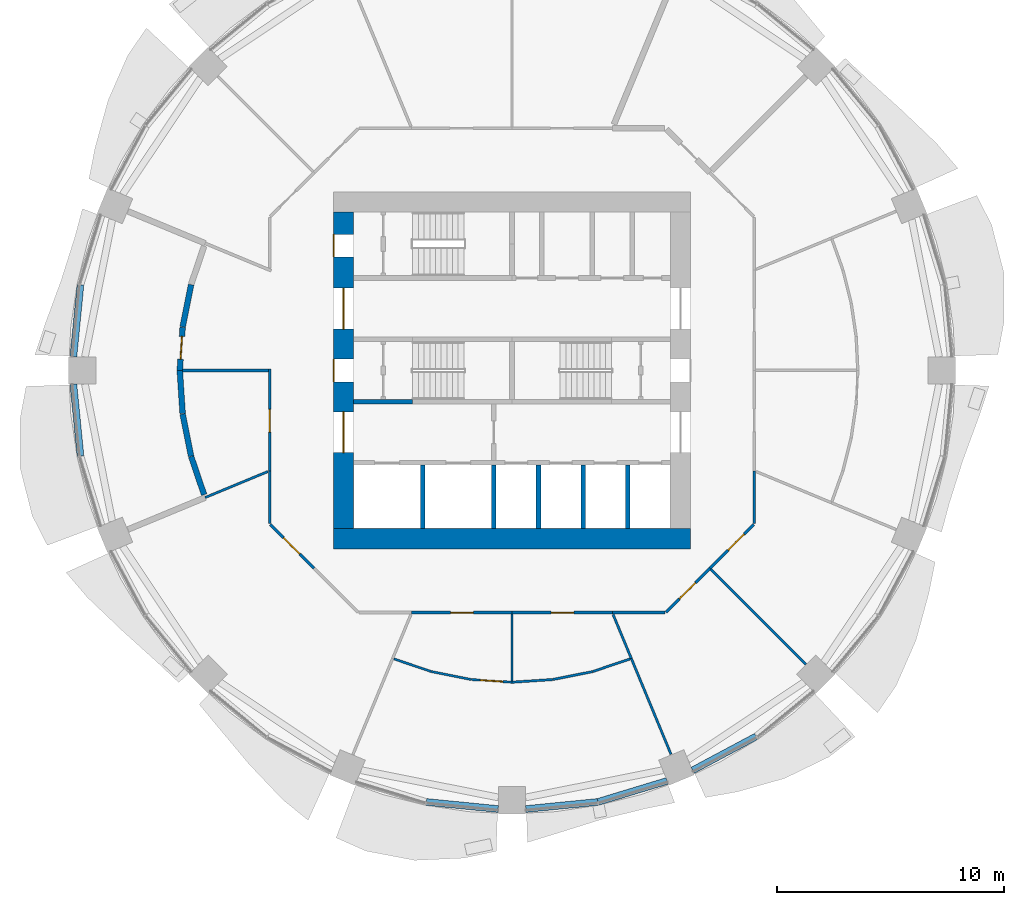
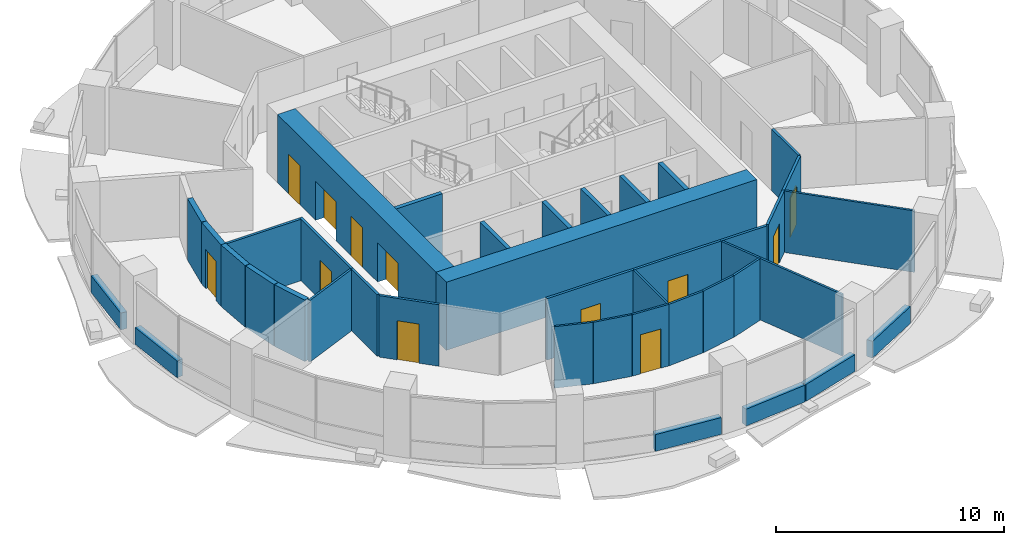
# One storey, part 8 of 15: 40 walls, 12 doors, 12 openings.
"""IFC4 building model written with IfcOpenShell, lengths in metres."""

from ifc_helpers import new_model, si_unit, direction, frame, frame_2d, origin, place, context, subcontext, project, spatial, rectangle, extrude, material, layer, layer_set, type_object, element, fill, save


model = new_model("IFC4")

# Units and contexts
model_context = context("Model", 3, precision=1e-05, world=origin(), true_north=direction((0.0, 1.0)))
body_context = subcontext(model_context, "Body", "Model", "MODEL_VIEW")
ifc_project = project(units=[si_unit("LENGTHUNIT", "METRE"), si_unit("AREAUNIT", "SQUARE_METRE"), si_unit("VOLUMEUNIT", "CUBIC_METRE"), si_unit("PLANEANGLEUNIT", "RADIAN"), si_unit("MASSUNIT", "GRAM", prefix="KILO")], contexts=[model_context])

# Site, building, storey
site_placement = place(None, origin())
site = spatial("IfcSite", under=ifc_project, at=site_placement, CompositionType="ELEMENT")
building_placement = place(site_placement, origin())
building = spatial("IfcBuilding", under=site, at=building_placement, Name="Polderwave Tower", CompositionType="ELEMENT")
storey_placement = place(building_placement, frame((0.0, 0.0, 62.699951171875)))
storey = spatial("IfcBuildingStorey", under=building, at=storey_placement, Name="L16", CompositionType="ELEMENT", Elevation=62.699951171875)

# Wall
ifc_material_1 = material(Name="Concrete C80/95", Category="concrete")
ifc_layer_1 = layer(ifc_material_1, 0.89990234375)
ifc_layer_set_1 = layer_set([ifc_layer_1], Name="CORE WALL 900 C80/95")
wall_type_1 = type_object("IfcWallType", Name="CORE WALL 900 C80/95", PredefinedType="SHEAR", material=ifc_layer_set_1)
wall_1_placement = place(storey_placement, frame((-7.8740234375, -7.424072265625, 0.0), z_axis=(0.0, 0.0, 1.0), x_axis=(1.0, 0.0, 0.0)))
element("IfcWall", 1, at=wall_1_placement, inside=storey, type_object=wall_type_1, Name="ST-CORE-L16-S", PredefinedType="SHEAR", context=body_context, shape_type="SweptSolid", body=[
    extrude(rectangle(XDim=15.748046875, YDim=0.89990234375, at=frame_2d((7.8740234375, 0.0))), origin(), (0.0, 0.0, 1.0), 3.650146484375),
])

# Wall, openings, doors
wall_2_placement = place(storey_placement, frame((-7.424072265625, -6.97412109375, 0.0), z_axis=(0.0, 0.0, 1.0), x_axis=(0.0, 1.0, 0.0)))
wall_2 = element("IfcWall", 2, at=wall_2_placement, inside=storey, type_object=wall_type_1, Name="ST-CORE-L16-W", PredefinedType="SHEAR", context=body_context, shape_type="SweptSolid", body=[
    extrude(rectangle(XDim=13.9482421875, YDim=0.89990234375, at=frame_2d((6.97412109375, 0.0))), origin(), (0.0, 0.0, 1.0), 3.650146484375),
])
opening_1_placement = place(wall_2_placement, frame((6.47412109375, 0.0, 0.0)))
opening_1 = element("IfcOpeningElement", 3, at=opening_1_placement, cuts=wall_2, Name="Opening L16-D18", PredefinedType="OPENING", context=body_context, shape_type="SweptSolid", body=[
    extrude(rectangle(XDim=1.0, YDim=2.10009765625, at=frame_2d((0.5, 1.050048828125))), frame((0.0, 0.4599609375, 0.0), z_axis=(0.0, -1.0, 0.0), x_axis=(1.0, 0.0, 0.0)), (0.0, 0.0, 1.0), 0.919921875),
])
opening_2_placement = place(wall_2_placement, frame((3.349609375, 0.0, 0.0)))
opening_2 = element("IfcOpeningElement", 4, at=opening_2_placement, cuts=wall_2, Name="Opening L16-D19", PredefinedType="OPENING", context=body_context, shape_type="SweptSolid", body=[
    extrude(rectangle(XDim=1.800048828125, YDim=2.10009765625, at=frame_2d((0.89990234375, 1.050048828125))), frame((0.0, 0.4599609375, 0.0), z_axis=(0.0, -1.0, 0.0), x_axis=(1.0, 0.0, 0.0)), (0.0, 0.0, 1.0), 0.919921875),
])
opening_3_placement = place(wall_2_placement, frame((8.798583984375, 0.0, 0.0)))
opening_3 = element("IfcOpeningElement", 5, at=opening_3_placement, cuts=wall_2, Name="Opening L16-D20", PredefinedType="OPENING", context=body_context, shape_type="SweptSolid", body=[
    extrude(rectangle(XDim=1.800048828125, YDim=2.10009765625, at=frame_2d((0.89990234375, 1.050048828125))), frame((0.0, 0.4599609375, 0.0), z_axis=(0.0, -1.0, 0.0), x_axis=(1.0, 0.0, 0.0)), (0.0, 0.0, 1.0), 0.919921875),
])
opening_4_placement = place(wall_2_placement, frame((11.97412109375, 0.0, 0.0)))
opening_4 = element("IfcOpeningElement", 6, at=opening_4_placement, cuts=wall_2, Name="Opening L16-D21", PredefinedType="OPENING", context=body_context, shape_type="SweptSolid", body=[
    extrude(rectangle(XDim=1.0, YDim=2.10009765625, at=frame_2d((0.5, 1.050048828125))), frame((0.0, 0.4599609375, 0.0), z_axis=(0.0, -1.0, 0.0), x_axis=(1.0, 0.0, 0.0)), (0.0, 0.0, 1.0), 0.919921875),
])
ifc_material_2 = material(Name="Steel fire door", Category="steel")
door_type_1 = type_object("IfcDoorType", Name="Lobby entry door pair 1800", OperationType="DOUBLE_DOOR_SINGLE_SWING", PredefinedType="DOOR", material=ifc_material_2)
door_1_placement = place(opening_2_placement, origin())
door_1 = element("IfcDoor", 7, at=door_1_placement, inside=storey, type_object=door_type_1, Name="Fire-fighting lobby entry door", OperationType="DOUBLE_DOOR_SINGLE_SWING", OverallHeight=2.10009765625, OverallWidth=1.800048828125, PredefinedType="DOOR", context=body_context, shape_type="SweptSolid", body=[
    extrude(rectangle(XDim=1.800048828125, YDim=2.10009765625, at=frame_2d((0.89990234375, 1.050048828125))), frame((0.0, 0.02490234375, 0.0), z_axis=(0.0, -1.0, 0.0), x_axis=(1.0, 0.0, 0.0)), (0.0, 0.0, 1.0), 0.050048828125),
])
fill(opening_2, door_1)
door_2_placement = place(opening_3_placement, origin())
door_2 = element("IfcDoor", 8, at=door_2_placement, inside=storey, type_object=door_type_1, Name="North lobby entry door", OperationType="DOUBLE_DOOR_SINGLE_SWING", OverallHeight=2.10009765625, OverallWidth=1.800048828125, PredefinedType="DOOR", context=body_context, shape_type="SweptSolid", body=[
    extrude(rectangle(XDim=1.800048828125, YDim=2.10009765625, at=frame_2d((0.89990234375, 1.050048828125))), frame((0.0, 0.02490234375, 0.0), z_axis=(0.0, -1.0, 0.0), x_axis=(1.0, 0.0, 0.0)), (0.0, 0.0, 1.0), 0.050048828125),
])
fill(opening_3, door_2)
door_type_2 = type_object("IfcDoorType", Name="Stair door 1000", OperationType="NOTDEFINED", PredefinedType="DOOR", material=ifc_material_2)
door_3_placement = place(opening_1_placement, origin())
door_3 = element("IfcDoor", 9, at=door_3_placement, inside=storey, type_object=door_type_2, Name="Stair A entry door", OperationType="SINGLE_SWING_RIGHT", OverallHeight=2.10009765625, OverallWidth=1.0, PredefinedType="DOOR", context=body_context, shape_type="SweptSolid", body=[
    extrude(rectangle(XDim=1.0, YDim=2.10009765625, at=frame_2d((0.5, 1.050048828125))), frame((0.0, 0.4501953125, 0.0), z_axis=(0.0, -1.0, 0.0), x_axis=(1.0, 0.0, 0.0)), (0.0, 0.0, 1.0), 0.050048828125),
])
fill(opening_1, door_3)
door_4_placement = place(opening_4_placement, origin())
door_4 = element("IfcDoor", 10, at=door_4_placement, inside=storey, type_object=door_type_2, Name="Stair C entry door", OperationType="SINGLE_SWING_RIGHT", OverallHeight=2.10009765625, OverallWidth=1.0, PredefinedType="DOOR", context=body_context, shape_type="SweptSolid", body=[
    extrude(rectangle(XDim=1.0, YDim=2.10009765625, at=frame_2d((0.5, 1.050048828125))), frame((0.0, 0.4501953125, 0.0), z_axis=(0.0, -1.0, 0.0), x_axis=(1.0, 0.0, 0.0)), (0.0, 0.0, 1.0), 0.050048828125),
])
fill(opening_4, door_4)

# Walls
ifc_material_3 = material(Name="Concrete C50/60 (board-marked)", Category="concrete")
ifc_layer_2 = layer(ifc_material_3, 0.300048828125)
ifc_layer_set_2 = layer_set([ifc_layer_2], Name="Concrete spandrel upstand C50/60")
wall_type_2 = type_object("IfcWallType", Name="Concrete spandrel upstand C50/60", PredefinedType="SOLIDWALL", material=ifc_layer_set_2)
for number, where, z_axis, x_axis, name in (
    (11, (-19.0185546875, 3.76806640625, 0.0), (0.0, 0.0, 1.0), (-0.098100807709, -0.995176482603, 0.0), "Spandrel L16 8b"),
    (12, (-19.32958984375, -0.61279296875, 0.0), (0.0, 0.0, 1.0), (0.098100807709, -0.995176482603, 0.0), "Spandrel L16 9a"),
    (13, (-3.76806640625, -19.0185546875, 0.0), (0.0, 0.0, 1.0), (0.995176482603, -0.098100807709, 0.0), "Spandrel L16 12b"),
    (14, (0.61279296875, -19.32958984375, 0.0), (0.0, 0.0, 1.0), (0.995176482603, 0.098100807709, 0.0), "Spandrel L16 13a"),
):
    element("IfcWall", number, at=place(storey_placement, frame(where, z_axis=z_axis, x_axis=x_axis)), inside=storey, type_object=wall_type_2, Name=name, PredefinedType="SOLIDWALL", context=body_context, shape_type="SweptSolid", body=[
        extrude(rectangle(XDim=3.170654296875, YDim=0.300048828125, at=frame_2d((1.58544921875, 0.0))), origin(), (0.0, 0.0, 1.0), 0.900146484375),
    ])
wall_3_placement = place(storey_placement, frame((3.79736328125, -19.0126953125, 0.0), z_axis=(0.0, 0.0, 1.0), x_axis=(0.956888224489, 0.290456409527, 0.0)))
element("IfcWall", 15, at=wall_3_placement, inside=storey, type_object=wall_type_2, Name="Spandrel L16 13b", PredefinedType="SOLIDWALL", context=body_context, shape_type="SweptSolid", body=[
    extrude(rectangle(XDim=3.1689453125, YDim=0.300048828125, at=frame_2d((1.58447265625, 0.0))), origin(), (0.0, 0.0, 1.0), 0.900146484375),
])
wall_4_placement = place(storey_placement, frame((7.963134765625, -17.622802734375, 0.0), z_axis=(0.0, 0.0, 1.0), x_axis=(0.882007292685, 0.47123575379, 0.0)))
element("IfcWall", 16, at=wall_4_placement, inside=storey, type_object=wall_type_2, Name="Spandrel L16 14a", PredefinedType="SOLIDWALL", context=body_context, shape_type="SweptSolid", body=[
    extrude(rectangle(XDim=3.169677734375, YDim=0.300048828125, at=frame_2d((1.5849609375, 0.0))), origin(), (0.0, 0.0, 1.0), 0.900146484375),
])
ifc_material_4 = material(Name="Concrete C50/60", Category="concrete")
ifc_layer_3 = layer(ifc_material_4, 0.199951171875)
ifc_layer_set_3 = layer_set([ifc_layer_3], Name="Core web wall 200")
wall_type_3 = type_object("IfcWallType", Name="Core web wall 200", PredefinedType="SHEAR", material=ifc_layer_set_3)
wall_5_placement = place(storey_placement, frame((-6.97412109375, -1.375, 0.0), z_axis=(0.0, 0.0, 1.0), x_axis=(1.0, 0.0, 0.0)))
element("IfcWall", 17, at=wall_5_placement, inside=storey, type_object=wall_type_3, Name="L16 south stair wall 1", PredefinedType="SHEAR", context=body_context, shape_type="SweptSolid", body=[
    extrude(rectangle(XDim=2.60009765625, YDim=0.199951171875, at=frame_2d((1.300048828125, 0.0))), origin(), (0.0, 0.0, 1.0), 3.300048828125),
])

# Wall, opening, door
ifc_material_5 = material(Name="Fire-resisting board on steel studs", Category="steel")
ifc_layer_4 = layer(ifc_material_5, 0.125)
ifc_layer_set_4 = layer_set([ifc_layer_4], Name="Corridor wall 125 mm EI 60")
wall_type_4 = type_object("IfcWallType", Name="Corridor wall 125 mm EI 60", PredefinedType="PARTITIONING", material=ifc_layer_set_4)
wall_6_placement = place(storey_placement, frame((10.65576171875, -6.789306640625, 0.0), z_axis=(0.0, 0.0, 1.0), x_axis=(-0.707151428813, -0.707062130741, 0.0)))
wall_6 = element("IfcWall", 18, at=wall_6_placement, inside=storey, type_object=wall_type_4, Name="IN-L16-W004", PredefinedType="PARTITIONING", context=body_context, shape_type="SweptSolid", body=[
    extrude(rectangle(XDim=2.73388671875, YDim=0.125, at=frame_2d((1.366943359375, 0.0))), origin(), (0.0, 0.0, 1.0), 3.300048828125),
])
opening_5_placement = place(wall_6_placement, frame((0.60009765625, 0.0, 0.0)))
opening_5 = element("IfcOpeningElement", 19, at=opening_5_placement, cuts=wall_6, Name="Opening L16-D52", PredefinedType="OPENING", context=body_context, shape_type="SweptSolid", body=[
    extrude(rectangle(XDim=1.0, YDim=2.10009765625, at=frame_2d((0.5, 1.050048828125))), frame((0.0, 0.072509765625, 0.0), z_axis=(0.0, -1.0, 0.0), x_axis=(1.0, 0.0, 0.0)), (0.0, 0.0, 1.0), 0.14501953125),
])
ifc_material_6 = material(Name="Timber fire door leaf", Category="wood")
door_type_3 = type_object("IfcDoorType", Name="Fire door FD30S 1000 x 2100", OperationType="NOTDEFINED", PredefinedType="DOOR", material=ifc_material_6)
door_5_placement = place(opening_5_placement, origin())
door_5 = element("IfcDoor", 20, at=door_5_placement, inside=storey, type_object=door_type_3, Name="Door L16-D52", OperationType="SINGLE_SWING_LEFT", OverallHeight=2.10009765625, OverallWidth=1.0, PredefinedType="DOOR", context=body_context, shape_type="SweptSolid", body=[
    extrude(rectangle(XDim=1.0, YDim=2.10009765625, at=frame_2d((0.5, 1.050048828125))), frame((0.0, 0.02490234375, 0.0), z_axis=(0.0, -1.0, 0.0), x_axis=(1.0, 0.0, 0.0)), (0.0, 0.0, 1.0), 0.050048828125),
])
fill(opening_5, door_5)

# Wall
wall_7_placement = place(storey_placement, frame((10.674072265625, -4.42138671875, 0.0), z_axis=(0.0, 0.0, 1.0), x_axis=(0.0, -1.0, 0.0)))
element("IfcWall", 21, at=wall_7_placement, inside=storey, type_object=wall_type_4, Name="IN-L16-W005", PredefinedType="PARTITIONING", context=body_context, shape_type="SweptSolid", body=[
    extrude(rectangle(XDim=2.32373046875, YDim=0.125, at=frame_2d((1.161865234375, 0.0))), origin(), (0.0, 0.0, 1.0), 3.300048828125),
])

# Wall, opening, door
wall_8_placement = place(storey_placement, frame((-10.674072265625, -4.42138671875, 0.0), z_axis=(0.0, 0.0, 1.0), x_axis=(0.0, 1.0, 0.0)))
wall_8 = element("IfcWall", 22, at=wall_8_placement, inside=storey, type_object=wall_type_4, Name="IN-L16-W015", PredefinedType="PARTITIONING", context=body_context, shape_type="SweptSolid", body=[
    extrude(rectangle(XDim=4.48388671875, YDim=0.125, at=frame_2d((2.241943359375, 0.0))), origin(), (0.0, 0.0, 1.0), 3.300048828125),
])
opening_6_placement = place(wall_8_placement, frame((1.699951171875, 0.0, 0.0)))
opening_6 = element("IfcOpeningElement", 23, at=opening_6_placement, cuts=wall_8, Name="Opening L16-D59", PredefinedType="OPENING", context=body_context, shape_type="SweptSolid", body=[
    extrude(rectangle(XDim=1.0, YDim=2.10009765625, at=frame_2d((0.5, 1.050048828125))), frame((0.0, 0.072509765625, 0.0), z_axis=(0.0, -1.0, 0.0), x_axis=(1.0, 0.0, 0.0)), (0.0, 0.0, 1.0), 0.14501953125),
])
door_6_placement = place(opening_6_placement, origin())
door_6 = element("IfcDoor", 24, at=door_6_placement, inside=storey, type_object=door_type_3, Name="Door L16-D59", OperationType="SINGLE_SWING_LEFT", OverallHeight=2.10009765625, OverallWidth=1.0, PredefinedType="DOOR", context=body_context, shape_type="SweptSolid", body=[
    extrude(rectangle(XDim=1.0, YDim=2.10009765625, at=frame_2d((0.5, 1.050048828125))), frame((0.0, 0.02490234375, 0.0), z_axis=(0.0, -1.0, 0.0), x_axis=(1.0, 0.0, 0.0)), (0.0, 0.0, 1.0), 0.050048828125),
])
fill(opening_6, door_6)

# Wall
wall_9_placement = place(storey_placement, frame((-10.674072265625, -6.7451171875, 0.0), z_axis=(0.0, 0.0, 1.0), x_axis=(0.0, 1.0, 0.0)))
element("IfcWall", 25, at=wall_9_placement, inside=storey, type_object=wall_type_4, Name="IN-L16-W016", PredefinedType="PARTITIONING", context=body_context, shape_type="SweptSolid", body=[
    extrude(rectangle(XDim=2.32373046875, YDim=0.125, at=frame_2d((1.161865234375, 0.0))), origin(), (0.0, 0.0, 1.0), 3.300048828125),
])

# Wall, opening, door
wall_10_placement = place(storey_placement, frame((-8.722412109375, -8.722412109375, 0.0), z_axis=(0.0, 0.0, 1.0), x_axis=(-0.707151428813, 0.707062130741, 0.0)))
wall_10 = element("IfcWall", 26, at=wall_10_placement, inside=storey, type_object=wall_type_4, Name="IN-L16-W017", PredefinedType="PARTITIONING", context=body_context, shape_type="SweptSolid", body=[
    extrude(rectangle(XDim=2.73388671875, YDim=0.125, at=frame_2d((1.366943359375, 0.0))), origin(), (0.0, 0.0, 1.0), 3.300048828125),
])
opening_7_placement = place(wall_10_placement, frame((0.89990234375, 0.0, 0.0)))
opening_7 = element("IfcOpeningElement", 27, at=opening_7_placement, cuts=wall_10, Name="Opening L16-D60", PredefinedType="OPENING", context=body_context, shape_type="SweptSolid", body=[
    extrude(rectangle(XDim=1.0, YDim=2.10009765625, at=frame_2d((0.5, 1.050048828125))), frame((0.0, 0.072509765625, 0.0), z_axis=(0.0, -1.0, 0.0), x_axis=(1.0, 0.0, 0.0)), (0.0, 0.0, 1.0), 0.14501953125),
])
door_7_placement = place(opening_7_placement, origin())
door_7 = element("IfcDoor", 28, at=door_7_placement, inside=storey, type_object=door_type_3, Name="Door L16-D60", OperationType="SINGLE_SWING_RIGHT", OverallHeight=2.10009765625, OverallWidth=1.0, PredefinedType="DOOR", context=body_context, shape_type="SweptSolid", body=[
    extrude(rectangle(XDim=1.0, YDim=2.10009765625, at=frame_2d((0.5, 1.050048828125))), frame((0.0, 0.02490234375, 0.0), z_axis=(0.0, -1.0, 0.0), x_axis=(1.0, 0.0, 0.0)), (0.0, 0.0, 1.0), 0.050048828125),
])
fill(opening_7, door_7)

wall_11_placement = place(storey_placement, frame((0.0, -10.674072265625, 0.0), z_axis=(0.0, 0.0, 1.0), x_axis=(-1.0, 0.0, 0.0)))
wall_11 = element("IfcWall", 29, at=wall_11_placement, inside=storey, type_object=wall_type_4, Name="IN-L16-W020", PredefinedType="PARTITIONING", context=body_context, shape_type="SweptSolid", body=[
    extrude(rectangle(XDim=4.42138671875, YDim=0.125, at=frame_2d((2.210693359375, 0.0))), origin(), (0.0, 0.0, 1.0), 3.300048828125),
])
opening_8_placement = place(wall_11_placement, frame((1.699951171875, 0.0, 0.0)))
opening_8 = element("IfcOpeningElement", 30, at=opening_8_placement, cuts=wall_11, Name="Opening L16-D61", PredefinedType="OPENING", context=body_context, shape_type="SweptSolid", body=[
    extrude(rectangle(XDim=1.0, YDim=2.10009765625, at=frame_2d((0.5, 1.050048828125))), frame((0.0, 0.072509765625, 0.0), z_axis=(0.0, -1.0, 0.0), x_axis=(1.0, 0.0, 0.0)), (0.0, 0.0, 1.0), 0.14501953125),
])
door_8_placement = place(opening_8_placement, origin())
door_8 = element("IfcDoor", 31, at=door_8_placement, inside=storey, type_object=door_type_3, Name="Door L16-D61", OperationType="SINGLE_SWING_LEFT", OverallHeight=2.10009765625, OverallWidth=1.0, PredefinedType="DOOR", context=body_context, shape_type="SweptSolid", body=[
    extrude(rectangle(XDim=1.0, YDim=2.10009765625, at=frame_2d((0.5, 1.050048828125))), frame((0.0, 0.02490234375, 0.0), z_axis=(0.0, -1.0, 0.0), x_axis=(1.0, 0.0, 0.0)), (0.0, 0.0, 1.0), 0.050048828125),
])
fill(opening_8, door_8)

wall_12_placement = place(storey_placement, frame((4.42138671875, -10.674072265625, 0.0), z_axis=(0.0, 0.0, 1.0), x_axis=(-1.0, 0.0, 0.0)))
wall_12 = element("IfcWall", 32, at=wall_12_placement, inside=storey, type_object=wall_type_4, Name="IN-L16-W021", PredefinedType="PARTITIONING", context=body_context, shape_type="SweptSolid", body=[
    extrude(rectangle(XDim=4.42138671875, YDim=0.125, at=frame_2d((2.210693359375, 0.0))), origin(), (0.0, 0.0, 1.0), 3.300048828125),
])
opening_9_placement = place(wall_12_placement, frame((1.699951171875, 0.0, 0.0)))
opening_9 = element("IfcOpeningElement", 33, at=opening_9_placement, cuts=wall_12, Name="Opening L16-D62", PredefinedType="OPENING", context=body_context, shape_type="SweptSolid", body=[
    extrude(rectangle(XDim=1.0, YDim=2.10009765625, at=frame_2d((0.5, 1.050048828125))), frame((0.0, 0.072509765625, 0.0), z_axis=(0.0, -1.0, 0.0), x_axis=(1.0, 0.0, 0.0)), (0.0, 0.0, 1.0), 0.14501953125),
])
door_9_placement = place(opening_9_placement, origin())
door_9 = element("IfcDoor", 34, at=door_9_placement, inside=storey, type_object=door_type_3, Name="Door L16-D62", OperationType="SINGLE_SWING_LEFT", OverallHeight=2.10009765625, OverallWidth=1.0, PredefinedType="DOOR", context=body_context, shape_type="SweptSolid", body=[
    extrude(rectangle(XDim=1.0, YDim=2.10009765625, at=frame_2d((0.5, 1.050048828125))), frame((0.0, 0.02490234375, 0.0), z_axis=(0.0, -1.0, 0.0), x_axis=(1.0, 0.0, 0.0)), (0.0, 0.0, 1.0), 0.050048828125),
])
fill(opening_9, door_9)

# Wall
wall_13_placement = place(storey_placement, frame((6.7451171875, -10.674072265625, 0.0), z_axis=(0.0, 0.0, 1.0), x_axis=(-1.0, 0.0, 0.0)))
element("IfcWall", 35, at=wall_13_placement, inside=storey, type_object=wall_type_4, Name="IN-L16-W022", PredefinedType="PARTITIONING", context=body_context, shape_type="SweptSolid", body=[
    extrude(rectangle(XDim=2.32373046875, YDim=0.125, at=frame_2d((1.161865234375, 0.0))), origin(), (0.0, 0.0, 1.0), 3.300048828125),
])

# Wall, opening, door
wall_14_placement = place(storey_placement, frame((8.722412109375, -8.722412109375, 0.0), z_axis=(0.0, 0.0, 1.0), x_axis=(-0.707062130741, -0.707151428813, 0.0)))
wall_14 = element("IfcWall", 36, at=wall_14_placement, inside=storey, type_object=wall_type_4, Name="IN-L16-W023", PredefinedType="PARTITIONING", context=body_context, shape_type="SweptSolid", body=[
    extrude(rectangle(XDim=2.73388671875, YDim=0.125, at=frame_2d((1.366943359375, 0.0))), origin(), (0.0, 0.0, 1.0), 3.300048828125),
])
opening_10_placement = place(wall_14_placement, frame((0.89990234375, 0.0, 0.0)))
opening_10 = element("IfcOpeningElement", 37, at=opening_10_placement, cuts=wall_14, Name="Opening L16-D63", PredefinedType="OPENING", context=body_context, shape_type="SweptSolid", body=[
    extrude(rectangle(XDim=1.0, YDim=2.10009765625, at=frame_2d((0.5, 1.050048828125))), frame((0.0, 0.072509765625, 0.0), z_axis=(0.0, -1.0, 0.0), x_axis=(1.0, 0.0, 0.0)), (0.0, 0.0, 1.0), 0.14501953125),
])
door_10_placement = place(opening_10_placement, origin())
door_10 = element("IfcDoor", 38, at=door_10_placement, inside=storey, type_object=door_type_3, Name="Door L16-D63", OperationType="SINGLE_SWING_RIGHT", OverallHeight=2.10009765625, OverallWidth=1.0, PredefinedType="DOOR", context=body_context, shape_type="SweptSolid", body=[
    extrude(rectangle(XDim=1.0, YDim=2.10009765625, at=frame_2d((0.5, 1.050048828125))), frame((0.0, 0.02490234375, 0.0), z_axis=(0.0, -1.0, 0.0), x_axis=(1.0, 0.0, 0.0)), (0.0, 0.0, 1.0), 0.050048828125),
])
fill(opening_10, door_10)

# Walls
wall_15_placement = place(storey_placement, frame((-10.736572265625, 0.0, 0.0), z_axis=(0.0, 0.0, 1.0), x_axis=(-1.0, 0.0, 0.0)))
element("IfcWall", 39, at=wall_15_placement, inside=storey, type_object=wall_type_4, Name="IN-L16-W046", PredefinedType="PARTITIONING", context=body_context, shape_type="SweptSolid", body=[
    extrude(rectangle(XDim=3.77392578125, YDim=0.125, at=frame_2d((1.886962890625, 0.0))), origin(), (0.0, 0.0, 1.0), 3.300048828125),
])
ifc_material_7 = material(Name="Plasterboard on steel studs", Category="steel")
ifc_layer_5 = layer(ifc_material_7, 0.10009765625)
ifc_layer_set_5 = layer_set([ifc_layer_5], Name="Partition 100 mm plasterboard on steel studs")
wall_type_5 = type_object("IfcWallType", Name="Partition 100 mm plasterboard on steel studs", PredefinedType="PARTITIONING", material=ifc_layer_set_5)
wall_16_placement = place(storey_placement, frame((-3.559326171875, -13.270751953125, 0.0), z_axis=(0.0, 0.0, 1.0), x_axis=(-0.946941295521, 0.321406569374, 0.0)))
element("IfcWall", 40, at=wall_16_placement, inside=storey, type_object=wall_type_5, Name="IN-L16-W054", PredefinedType="PARTITIONING", context=body_context, shape_type="SweptSolid", body=[
    extrude(rectangle(XDim=1.738037109375, YDim=0.10009765625, at=frame_2d((0.869140625, 0.0))), origin(), (0.0, 0.0, 1.0), 3.300048828125),
])
wall_17_placement = place(storey_placement, frame((-1.796630859375, -13.621826171875, 0.0), z_axis=(0.0, 0.0, 1.0), x_axis=(-0.980784643133, 0.195093525761, 0.0)))
element("IfcWall", 41, at=wall_17_placement, inside=storey, type_object=wall_type_5, Name="IN-L16-W055", PredefinedType="PARTITIONING", context=body_context, shape_type="SweptSolid", body=[
    extrude(rectangle(XDim=1.790771484375, YDim=0.10009765625, at=frame_2d((0.8955078125, 0.0))), origin(), (0.0, 0.0, 1.0), 3.300048828125),
])

# Wall, opening, door
wall_18_placement = place(storey_placement, frame((0.0, -13.739990234375, 0.0), z_axis=(0.0, 0.0, 1.0), x_axis=(-0.997863935765, 0.065326607906, 0.0)))
wall_18 = element("IfcWall", 42, at=wall_18_placement, inside=storey, type_object=wall_type_5, Name="IN-L16-W056", PredefinedType="PARTITIONING", context=body_context, shape_type="SweptSolid", body=[
    extrude(rectangle(XDim=1.7939453125, YDim=0.10009765625, at=frame_2d((0.89697265625, 0.0))), origin(), (0.0, 0.0, 1.0), 3.300048828125),
])
opening_11_placement = place(wall_18_placement, frame((0.39990234375, 0.0, 0.0)))
opening_11 = element("IfcOpeningElement", 43, at=opening_11_placement, cuts=wall_18, Name="Opening L16-D66", PredefinedType="OPENING", context=body_context, shape_type="SweptSolid", body=[
    extrude(rectangle(XDim=1.0, YDim=2.10009765625, at=frame_2d((0.5, 1.050048828125))), frame((0.0, 0.06005859375, 0.0), z_axis=(0.0, -1.0, 0.0), x_axis=(1.0, 0.0, 0.0)), (0.0, 0.0, 1.0), 0.1201171875),
])
ifc_material_8 = material(Name="Timber veneer door leaf", Category="wood")
door_type_4 = type_object("IfcDoorType", Name="Single door 1000 x 2100", OperationType="NOTDEFINED", PredefinedType="DOOR", material=ifc_material_8)
door_11_placement = place(opening_11_placement, origin())
door_11 = element("IfcDoor", 44, at=door_11_placement, inside=storey, type_object=door_type_4, Name="Door L16-D66", OperationType="SINGLE_SWING_RIGHT", OverallHeight=2.10009765625, OverallWidth=1.0, PredefinedType="DOOR", context=body_context, shape_type="SweptSolid", body=[
    extrude(rectangle(XDim=1.0, YDim=2.10009765625, at=frame_2d((0.5, 1.050048828125))), frame((0.0, 0.02490234375, 0.0), z_axis=(0.0, -1.0, 0.0), x_axis=(1.0, 0.0, 0.0)), (0.0, 0.0, 1.0), 0.050048828125),
])
fill(opening_11, door_11)

# Walls
ifc_material_9 = material(Name="Moisture-resistant board on steel studs, tiled", Category="steel")
ifc_layer_6 = layer(ifc_material_9, 0.10498046875)
ifc_layer_set_6 = layer_set([ifc_layer_6], Name="Partition 105 mm wet room board and tile")
wall_type_6 = type_object("IfcWallType", Name="Partition 105 mm wet room board and tile", PredefinedType="PARTITIONING", material=ifc_layer_set_6)
wall_19_placement = place(storey_placement, frame((-10.756591796875, -4.45556640625, 0.0), z_axis=(0.0, 0.0, 1.0), x_axis=(-0.923879826967, -0.382682721486, 0.0)))
element("IfcWall", 45, at=wall_19_placement, inside=storey, type_object=wall_type_6, Name="IN-L16-W051", PredefinedType="PARTITIONING", context=body_context, shape_type="SweptSolid", body=[
    extrude(rectangle(XDim=2.9970703125, YDim=0.10498046875, at=frame_2d((1.49853515625, 0.0))), origin(), (0.0, 0.0, 1.0), 3.300048828125),
])
wall_20_placement = place(storey_placement, frame((0.0, -10.736572265625, 0.0), z_axis=(0.0, 0.0, 1.0), x_axis=(0.0, -1.0, 0.0)))
element("IfcWall", 46, at=wall_20_placement, inside=storey, type_object=wall_type_6, Name="IN-L16-W057", PredefinedType="PARTITIONING", context=body_context, shape_type="SweptSolid", body=[
    extrude(rectangle(XDim=2.947265625, YDim=0.10498046875, at=frame_2d((1.4736328125, 0.0))), origin(), (0.0, 0.0, 1.0), 3.300048828125),
])
wall_21_placement = place(storey_placement, frame((0.0, -13.739990234375, 0.0), z_axis=(0.0, 0.0, 1.0), x_axis=(0.997863935765, 0.065326607906, 0.0)))
element("IfcWall", 47, at=wall_21_placement, inside=storey, type_object=wall_type_6, Name="IN-L16-W058", PredefinedType="PARTITIONING", context=body_context, shape_type="SweptSolid", body=[
    extrude(rectangle(XDim=1.7939453125, YDim=0.10498046875, at=frame_2d((0.89697265625, 0.0))), origin(), (0.0, 0.0, 1.0), 3.300048828125),
])
wall_22_placement = place(storey_placement, frame((1.796875, -13.621826171875, 0.0), z_axis=(0.0, 0.0, 1.0), x_axis=(0.980774260843, 0.195145712912, 0.0)))
element("IfcWall", 48, at=wall_22_placement, inside=storey, type_object=wall_type_6, Name="IN-L16-W059", PredefinedType="PARTITIONING", context=body_context, shape_type="SweptSolid", body=[
    extrude(rectangle(XDim=1.790283203125, YDim=0.10498046875, at=frame_2d((0.89501953125, 0.0))), origin(), (0.0, 0.0, 1.0), 3.300048828125),
])
wall_23_placement = place(storey_placement, frame((3.5595703125, -13.270751953125, 0.0), z_axis=(0.0, 0.0, 1.0), x_axis=(0.946926781261, 0.321449328713, 0.0)))
element("IfcWall", 49, at=wall_23_placement, inside=storey, type_object=wall_type_6, Name="IN-L16-W060", PredefinedType="PARTITIONING", context=body_context, shape_type="SweptSolid", body=[
    extrude(rectangle(XDim=1.73779296875, YDim=0.10498046875, at=frame_2d((0.868896484375, 0.0))), origin(), (0.0, 0.0, 1.0), 3.300048828125),
])
wall_24_placement = place(storey_placement, frame((5.258056640625, -12.694091796875, 0.0), z_axis=(0.0, 0.0, 1.0), x_axis=(0.382710364739, -0.923868376297, 0.0)))
element("IfcWall", 50, at=wall_24_placement, inside=storey, type_object=wall_type_6, Name="IN-L16-W061", PredefinedType="PARTITIONING", context=body_context, shape_type="SweptSolid", body=[
    extrude(rectangle(XDim=4.570068359375, YDim=0.10498046875, at=frame_2d((2.28515625, 0.0))), origin(), (0.0, 0.0, 1.0), 3.300048828125),
])
wall_25_placement = place(storey_placement, frame((4.45556640625, -10.756591796875, 0.0), z_axis=(0.0, 0.0, 1.0), x_axis=(0.382663674763, -0.92388771613, 0.0)))
element("IfcWall", 51, at=wall_25_placement, inside=storey, type_object=wall_type_6, Name="IN-L16-W062", PredefinedType="PARTITIONING", context=body_context, shape_type="SweptSolid", body=[
    extrude(rectangle(XDim=2.09716796875, YDim=0.10498046875, at=frame_2d((1.048583984375, 0.0))), origin(), (0.0, 0.0, 1.0), 3.300048828125),
])
wall_26_placement = place(storey_placement, frame((8.7666015625, -8.7666015625, 0.0), z_axis=(0.0, 0.0, 1.0), x_axis=(0.707106781187, -0.707106781187, 0.0)))
element("IfcWall", 52, at=wall_26_placement, inside=storey, type_object=wall_type_6, Name="IN-L16-W063", PredefinedType="PARTITIONING", context=body_context, shape_type="SweptSolid", body=[
    extrude(rectangle(XDim=5.912109375, YDim=0.10498046875, at=frame_2d((2.9560546875, 0.0))), origin(), (0.0, 0.0, 1.0), 3.300048828125),
])

# Wall, opening, door
ifc_material_10 = material(Name="Fire-resisting board on steel studs, mineral wool", Category="steel")
ifc_layer_7 = layer(ifc_material_10, 0.25)
ifc_layer_set_7 = layer_set([ifc_layer_7], Name="Plant room wall 250 mm EI 120")
wall_type_7 = type_object("IfcWallType", Name="Plant room wall 250 mm EI 120", PredefinedType="PARTITIONING", material=ifc_layer_set_7)
wall_27_placement = place(storey_placement, frame((-14.639892578125, 0.0, 0.0), z_axis=(0.0, 0.0, 1.0), x_axis=(0.065303653727, 0.997865438228, 0.0)))
wall_27 = element("IfcWall", 53, at=wall_27_placement, inside=storey, type_object=wall_type_7, Name="IN-L16-W043", PredefinedType="PARTITIONING", context=body_context, shape_type="SweptSolid", body=[
    extrude(rectangle(XDim=1.90673828125, YDim=0.25, at=frame_2d((0.953369140625, 0.0))), origin(), (0.0, 0.0, 1.0), 3.300048828125),
])
opening_12_placement = place(wall_27_placement, frame((0.5, 0.0, 0.0)))
opening_12 = element("IfcOpeningElement", 54, at=opening_12_placement, cuts=wall_27, Name="Opening L16-D65", PredefinedType="OPENING", context=body_context, shape_type="SweptSolid", body=[
    extrude(rectangle(XDim=1.0, YDim=2.10009765625, at=frame_2d((0.5, 1.050048828125))), frame((0.0, 0.135009765625, 0.0), z_axis=(0.0, -1.0, 0.0), x_axis=(1.0, 0.0, 0.0)), (0.0, 0.0, 1.0), 0.27001953125),
])
ifc_material_11 = material(Name="Steel plant door leaf", Category="steel")
door_type_5 = type_object("IfcDoorType", Name="Plant door FD60 1000 x 2100 steel", OperationType="NOTDEFINED", PredefinedType="DOOR", material=ifc_material_11)
door_12_placement = place(opening_12_placement, origin())
door_12 = element("IfcDoor", 55, at=door_12_placement, inside=storey, type_object=door_type_5, Name="Door L16-D65", OperationType="SINGLE_SWING_RIGHT", OverallHeight=2.10009765625, OverallWidth=1.0, PredefinedType="DOOR", context=body_context, shape_type="SweptSolid", body=[
    extrude(rectangle(XDim=1.0, YDim=2.10009765625, at=frame_2d((0.5, 1.050048828125))), frame((0.0, 0.02490234375, 0.0), z_axis=(0.0, -1.0, 0.0), x_axis=(1.0, 0.0, 0.0)), (0.0, 0.0, 1.0), 0.050048828125),
])
fill(opening_12, door_12)

# Walls
wall_28_placement = place(storey_placement, frame((-14.51318359375, 1.9189453125, 0.0), z_axis=(0.0, 0.0, 1.0), x_axis=(0.195077379777, 0.980787854686, 0.0)))
element("IfcWall", 56, at=wall_28_placement, inside=storey, type_object=wall_type_7, Name="IN-L16-W044", PredefinedType="PARTITIONING", context=body_context, shape_type="SweptSolid", body=[
    extrude(rectangle(XDim=1.8984375, YDim=0.25, at=frame_2d((0.94921875, 0.0))), origin(), (0.0, 0.0, 1.0), 3.300048828125),
])
wall_29_placement = place(storey_placement, frame((-14.639892578125, 0.0, 0.0), z_axis=(0.0, 0.0, 1.0), x_axis=(0.065303653727, -0.997865438228, 0.0)))
element("IfcWall", 57, at=wall_29_placement, inside=storey, type_object=wall_type_7, Name="IN-L16-W047", PredefinedType="PARTITIONING", context=body_context, shape_type="SweptSolid", body=[
    extrude(rectangle(XDim=1.90673828125, YDim=0.25, at=frame_2d((0.953369140625, 0.0))), origin(), (0.0, 0.0, 1.0), 3.300048828125),
])
wall_30_placement = place(storey_placement, frame((-14.51318359375, -1.9189453125, 0.0), z_axis=(0.0, 0.0, 1.0), x_axis=(0.195077379777, -0.980787854686, 0.0)))
element("IfcWall", 58, at=wall_30_placement, inside=storey, type_object=wall_type_7, Name="IN-L16-W048", PredefinedType="PARTITIONING", context=body_context, shape_type="SweptSolid", body=[
    extrude(rectangle(XDim=1.8984375, YDim=0.25, at=frame_2d((0.94921875, 0.0))), origin(), (0.0, 0.0, 1.0), 3.300048828125),
])
wall_31_placement = place(storey_placement, frame((-14.138671875, -3.796875, 0.0), z_axis=(0.0, 0.0, 1.0), x_axis=(0.321468303742, -0.946920339674, 0.0)))
element("IfcWall", 59, at=wall_31_placement, inside=storey, type_object=wall_type_7, Name="IN-L16-W049", PredefinedType="PARTITIONING", context=body_context, shape_type="SweptSolid", body=[
    extrude(rectangle(XDim=1.7734375, YDim=0.25, at=frame_2d((0.88671875, 0.0))), origin(), (0.0, 0.0, 1.0), 3.300048828125),
])
ifc_material_12 = material(Name="Gypsum shaft wall system")
ifc_layer_8 = layer(ifc_material_12, 0.199951171875)
ifc_layer_set_8 = layer_set([ifc_layer_8], Name="Shaft wall 200")
wall_type_8 = type_object("IfcWallType", Name="Shaft wall 200", PredefinedType="PARTITIONING", material=ifc_layer_set_8)
for number, where, z_axis, x_axis, name in (
    (60, (-3.93701171875, -6.97412109375, 0.0), (0.0, 0.0, 1.0), (0.0, 1.0, 0.0), "L16 fire-fighting shaft wall 1"),
    (61, (-0.800048828125, -6.97412109375, 0.0), (0.0, 0.0, 1.0), (0.0, 1.0, 0.0), "L16 fire-fighting shaft wall 2"),
    (62, (1.16845703125, -6.97412109375, 0.0), (0.0, 0.0, 1.0), (0.0, 1.0, 0.0), "L16 lift shaft wall 1"),
    (63, (3.136962890625, -6.97412109375, 0.0), (0.0, 0.0, 1.0), (0.0, 1.0, 0.0), "L16 lift shaft wall 2"),
    (64, (5.10546875, -6.97412109375, 0.0), (0.0, 0.0, 1.0), (0.0, 1.0, 0.0), "L16 lift shaft wall 3"),
):
    element("IfcWall", number, at=place(storey_placement, frame(where, z_axis=z_axis, x_axis=x_axis)), inside=storey, type_object=wall_type_8, Name=name, PredefinedType="PARTITIONING", context=body_context, shape_type="SweptSolid", body=[
        extrude(rectangle(XDim=2.800048828125, YDim=0.199951171875, at=frame_2d((1.39990234375, 0.0))), origin(), (0.0, 0.0, 1.0), 3.300048828125),
    ])

save(model, "model.ifc")
